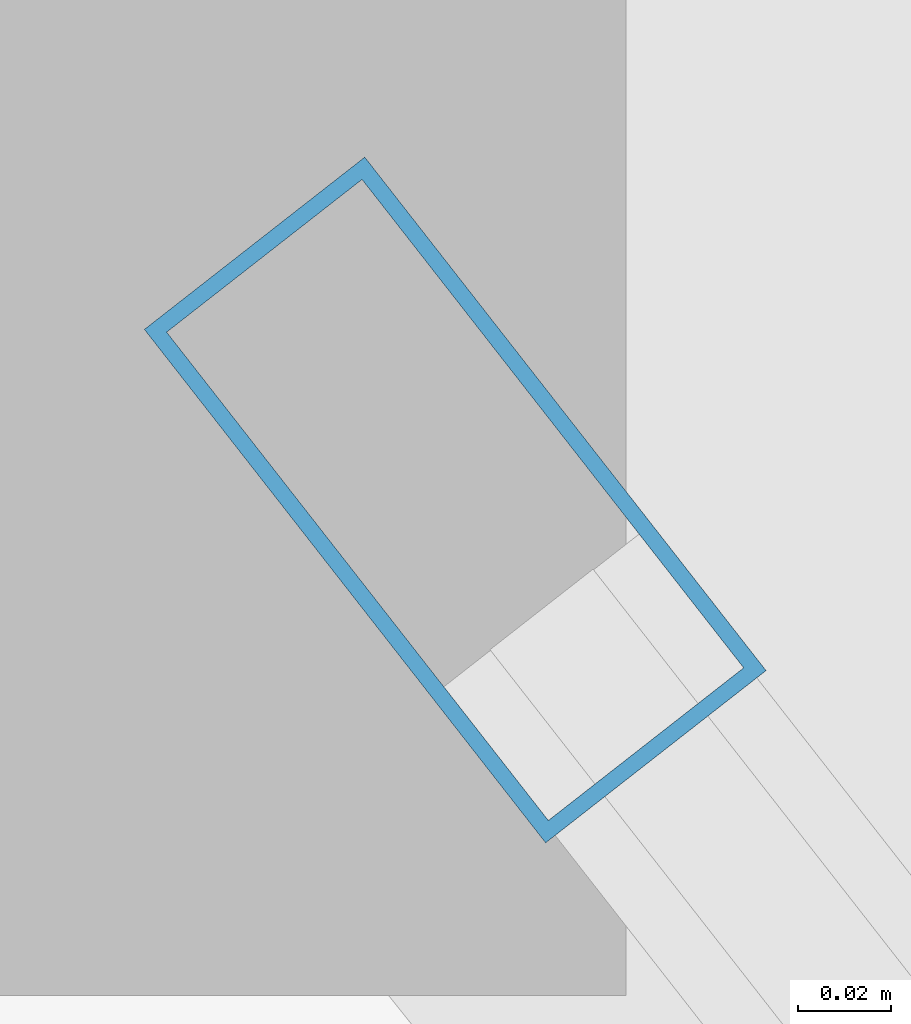
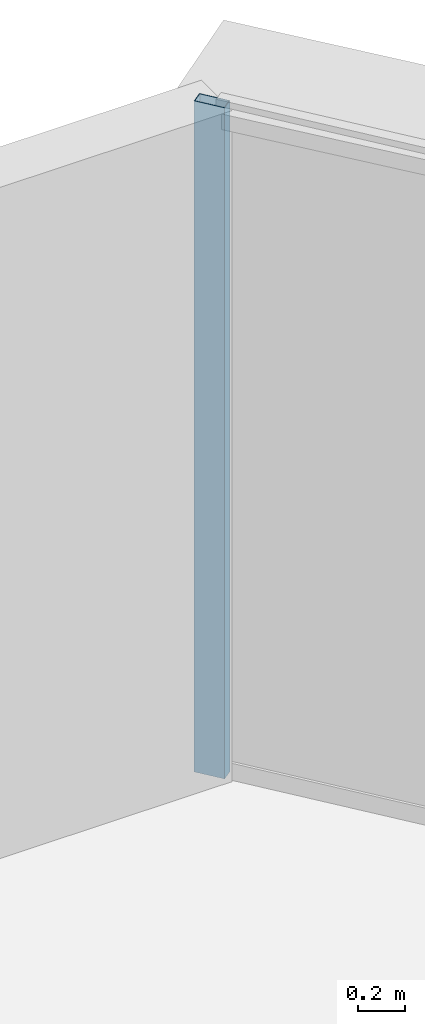
# One storey, part 23 of 36: 1 member, 1 element without a shape of its own.
"""IFC4 building model written with IfcOpenShell, lengths in metres."""

from ifc_helpers import new_model, si_unit, direction, frame, origin, origin_2d, place, context, subcontext, project, spatial, hollow_rectangle, extrude, source, transform, mapped, material, layer, layer_set, material_profile, profile_set, type_object, element, aggregate, save


model = new_model("IFC4")

# Units and contexts
model_context = context("Model", 3, precision=1e-05, world=origin(), true_north=direction((0.0, 1.0)))
body_context = subcontext(model_context, "Body", "Model", "MODEL_VIEW")
ifc_project = project(units=[si_unit("LENGTHUNIT", "METRE"), si_unit("AREAUNIT", "SQUARE_METRE"), si_unit("VOLUMEUNIT", "CUBIC_METRE"), si_unit("PLANEANGLEUNIT", "RADIAN"), si_unit("MASSUNIT", "GRAM", prefix="KILO"), si_unit("THERMODYNAMICTEMPERATUREUNIT", "KELVIN"), si_unit("POWERUNIT", "WATT")], contexts=[model_context])

# Site, building, storey
site_placement = place(None, origin())
site = spatial("IfcSite", under=ifc_project, at=site_placement, CompositionType="ELEMENT")
building_placement = place(site_placement, origin())
building = spatial("IfcBuilding", under=site, at=building_placement, Name="Yunzhuo Pagoda Commons", CompositionType="ELEMENT")
storey_placement = place(building_placement, frame((0.0, 0.0, 244.530029296875)))
storey = spatial("IfcBuildingStorey", under=building, at=storey_placement, Name="L61", CompositionType="ELEMENT", Elevation=244.530029296875)

# Curtain wall, member
ifc_material = material(Name="Anodized aluminium 6063-T6", Category="aluminium")
ifc_layer = layer(ifc_material, 0.139892578125)
ifc_layer_set = layer_set([ifc_layer], Name="Anodized aluminium 6063-T6")
curtain_wall_type = type_object("IfcCurtainWallType", Name="CW-HI High-Zone Ribbon Curtain Wall", PredefinedType="NOTDEFINED", material=ifc_layer_set)
curtain_wall_placement = place(storey_placement, origin())
curtain_wall = element("IfcCurtainWall", 1, at=curtain_wall_placement, inside=storey, type_object=curtain_wall_type, Name="L61 curtain wall CW-L61-F2B5", PredefinedType="NOTDEFINED")
ifc_material_profile = material_profile(ifc_material, hollow_rectangle(XDim=0.06005859375, YDim=0.139892578125, WallThickness=0.00341796875, at=origin_2d()), Name="Anodized aluminium 6063-T6")
ifc_profile_set = profile_set([ifc_material_profile], Name="Anodized aluminium 6063-T6")
member_type = type_object("IfcMemberType", Name="CW-HI-M Mullion RHS 140x60x3.5", PredefinedType="MULLION", material=ifc_profile_set)
shared_shape = source(origin(), body_context, "Body", "SweptSolid", [
    extrude(hollow_rectangle(XDim=0.06005859375, YDim=0.139892578125, WallThickness=0.00341796875, at=origin_2d()), origin(), (0.0, 0.0, 1.0), 3.469970703125),
])
member_placement = place(storey_placement, frame((51.886962890625, 79.776123046875, 0.0), z_axis=(0.0, 0.0, 1.0), x_axis=(-0.787911077131, -0.615789034114, 0.0)))
member = element("IfcMember", 2, at=member_placement, type_object=member_type, Name="CW mullion 2", PredefinedType="MULLION", context=body_context, shape_type="MappedRepresentation", body=[
    mapped(shared_shape, transform((0.0, 0.0, 0.0), scale=1.0)),
])
aggregate(curtain_wall, [member])

save(model, "model.ifc")
